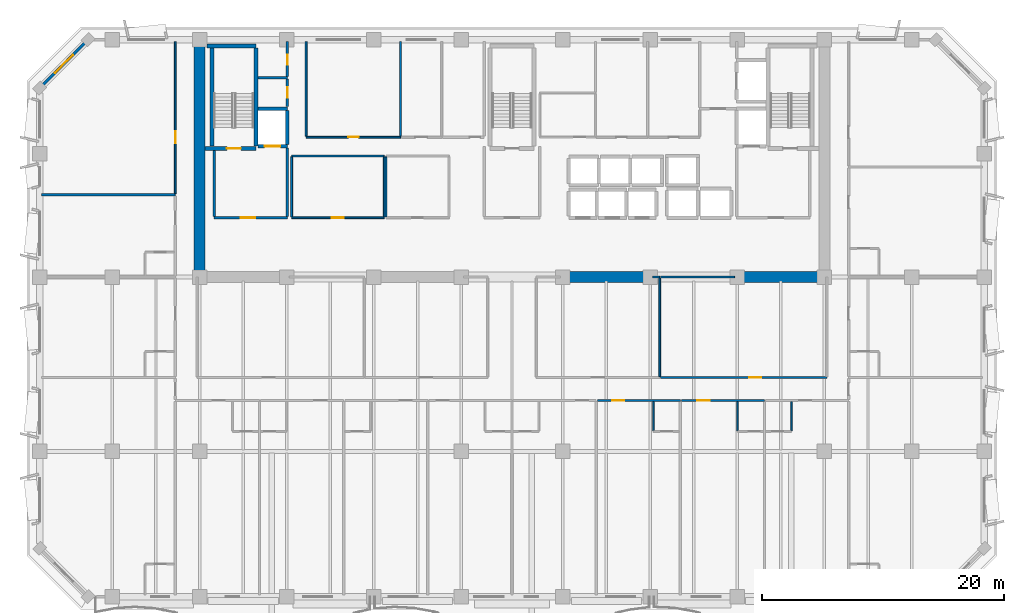
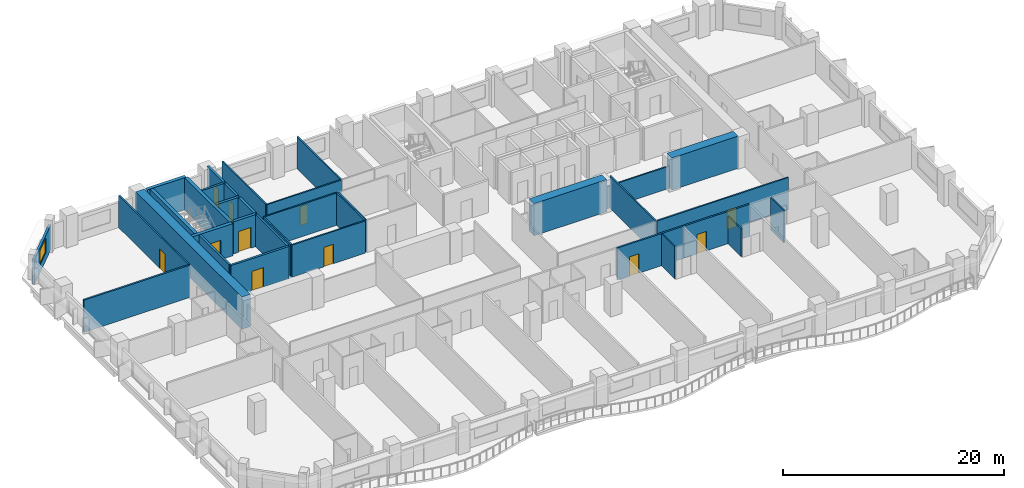
# One storey, part 6 of 14: 36 walls, 11 doors, 1 window, 12 openings.
"""IFC4 building model written with IfcOpenShell, lengths in metres."""

from ifc_helpers import new_model, si_unit, direction, frame, frame_2d, origin, place, context, subcontext, project, spatial, rectangle, extrude, material, layer, layer_set, type_object, element, fill, save


model = new_model("IFC4")

# Units and contexts
model_context = context("Model", 3, precision=1e-05, world=origin(), true_north=direction((0.0, 1.0)))
body_context = subcontext(model_context, "Body", "Model", "MODEL_VIEW")
ifc_project = project(units=[si_unit("LENGTHUNIT", "METRE"), si_unit("AREAUNIT", "SQUARE_METRE"), si_unit("VOLUMEUNIT", "CUBIC_METRE"), si_unit("PLANEANGLEUNIT", "RADIAN"), si_unit("MASSUNIT", "GRAM", prefix="KILO")], contexts=[model_context])

# Site, building, storey
site_placement = place(None, origin())
site = spatial("IfcSite", under=ifc_project, at=site_placement, CompositionType="ELEMENT")
building_placement = place(site_placement, origin())
building = spatial("IfcBuilding", under=site, at=building_placement, Name="Kaelvorn Grand Hotel", CompositionType="ELEMENT")
storey_placement = place(building_placement, frame((0.0, 0.0, 161.949951171875)))
storey = spatial("IfcBuildingStorey", under=building, at=storey_placement, Name="L39", CompositionType="ELEMENT", Elevation=161.949951171875)

# Walls
ifc_material_1 = material(Name="Concrete C60/75", Category="concrete")
ifc_layer_1 = layer(ifc_material_1, 0.89990234375)
ifc_layer_set_1 = layer_set([ifc_layer_1], Name="Concrete C60/75")
wall_type_1 = type_object("IfcWallType", Name="WL-CORE-900-C60", PredefinedType="SHEAR", material=ifc_layer_set_1)
wall_1_placement = place(storey_placement, frame((16.199951171875, 29.39990234375, 0.0), z_axis=(0.0, 0.0, 1.0), x_axis=(0.0, 1.0, 0.0)))
element("IfcWall", 1, at=wall_1_placement, inside=storey, type_object=wall_type_1, Name="L39 Rear-Core West Shear Wall", PredefinedType="SHEAR", context=body_context, shape_type="SweptSolid", body=[
    extrude(rectangle(XDim=19.2001953125, YDim=0.89990234375, at=frame_2d((9.60009765625, 0.0))), origin(), (0.0, 0.0, 1.0), 3.56005859375),
])
wall_2_placement = place(storey_placement, frame((46.0, 29.39990234375, 0.0), z_axis=(0.0, 0.0, 1.0), x_axis=(1.0, 0.0, 0.0)))
element("IfcWall", 2, at=wall_2_placement, inside=storey, type_object=wall_type_1, Name="L39 Rear-Core Coupled Shear Pier S3", PredefinedType="SHEAR", context=body_context, shape_type="SweptSolid", body=[
    extrude(rectangle(XDim=7.60009765625, YDim=0.89990234375, at=frame_2d((3.800048828125, 0.0))), origin(), (0.0, 0.0, 1.0), 3.56005859375),
])
wall_3_placement = place(storey_placement, frame((60.39990234375, 29.39990234375, 0.0), z_axis=(0.0, 0.0, 1.0), x_axis=(1.0, 0.0, 0.0)))
element("IfcWall", 3, at=wall_3_placement, inside=storey, type_object=wall_type_1, Name="L39 Rear-Core Coupled Shear Pier S4", PredefinedType="SHEAR", context=body_context, shape_type="SweptSolid", body=[
    extrude(rectangle(XDim=6.945068359375, YDim=0.89990234375, at=frame_2d((3.47265625, 0.0))), origin(), (0.0, 0.0, 1.0), 3.56005859375),
])

# Wall, opening, window
ifc_material_2 = material(Name="Concrete C40/50", Category="concrete")
ifc_layer_2 = layer(ifc_material_2, 0.239990234375)
ifc_layer_set_2 = layer_set([ifc_layer_2], Name="Concrete C40/50")
wall_type_2 = type_object("IfcWallType", Name="WL-EXT-240-C40", PredefinedType="SOLIDWALL", material=ifc_layer_set_2)
wall_4_placement = place(storey_placement, frame((7.0, 49.0, 0.0), z_axis=(0.0, 0.0, 1.0), x_axis=(-0.707106781187, -0.707106781187, 0.0)))
wall_4 = element("IfcWall", 4, at=wall_4_placement, inside=storey, type_object=wall_type_2, Name="L39 Exterior Architectural Concrete Wall 06", PredefinedType="SOLIDWALL", context=body_context, shape_type="SweptSolid", body=[
    extrude(rectangle(XDim=5.65673828125, YDim=0.239990234375, at=frame_2d((2.828369140625, 0.0))), origin(), (0.0, 0.0, 1.0), 2.760009765625),
])
opening_1_placement = place(wall_4_placement, frame((1.7783203125, 0.0, 0.85009765625)))
opening_1 = element("IfcOpeningElement", 5, at=opening_1_placement, cuts=wall_4, Name="Opening W7", PredefinedType="OPENING", context=body_context, shape_type="SweptSolid", body=[
    extrude(rectangle(XDim=2.10009765625, YDim=1.60009765625, at=frame_2d((1.050048828125, 0.800048828125))), frame((0.0, 0.1298828125, 0.0), z_axis=(0.0, -1.0, 0.0), x_axis=(1.0, 0.0, 0.0)), (0.0, 0.0, 1.0), 0.260009765625),
])
ifc_material_3 = material(Name="Laminated Low-E Glass", Category="glass")
window_type = type_object("IfcWindowType", Name="WIN-CHM-2100x1600", PartitioningType="SINGLE_PANEL", PredefinedType="WINDOW", material=ifc_material_3)
window_placement = place(opening_1_placement, origin())
window = element("IfcWindow", 6, at=window_placement, inside=storey, type_object=window_type, Name="L39 Chamfered 45-Degree Corner Window NW", OverallHeight=1.60009765625, OverallWidth=2.10009765625, PartitioningType="SINGLE_PANEL", PredefinedType="WINDOW", context=body_context, shape_type="SweptSolid", body=[
    extrude(rectangle(XDim=2.10009765625, YDim=1.60009765625, at=frame_2d((1.050048828125, 0.800048828125))), frame((0.0, 0.030029296875, 0.0), z_axis=(0.0, -1.0, 0.0), x_axis=(1.0, 0.0, 0.0)), (0.0, 0.0, 1.0), 0.06005859375),
])
fill(opening_1, window)

# Walls
ifc_material_4 = material(Name="Moisture-Resistant Tile & Stud Board")
ifc_layer_3 = layer(ifc_material_4, 0.125)
ifc_layer_set_3 = layer_set([ifc_layer_3], Name="Moisture-Resistant Tile & Stud Board")
wall_type_3 = type_object("IfcWallType", Name="WL-PART-125-WET", PredefinedType="PARTITIONING", material=ifc_layer_set_3)
wall_5_placement = place(storey_placement, frame((53.679931640625, 16.717529296875, 0.0), z_axis=(0.0, 0.0, 1.0), x_axis=(0.0, 1.0, 0.0)))
element("IfcWall", 7, at=wall_5_placement, inside=storey, type_object=wall_type_3, Name="L39 En-suite Bathroom L39-06 W Partition", PredefinedType="PARTITIONING", context=body_context, shape_type="SweptSolid", body=[
    extrude(rectangle(XDim=2.387451171875, YDim=0.125, at=frame_2d((1.19384765625, 0.0))), origin(), (0.0, 0.0, 1.0), 3.56005859375),
])
wall_6_placement = place(storey_placement, frame((60.6298828125, 16.717529296875, 0.0), z_axis=(0.0, 0.0, 1.0), x_axis=(0.0, 1.0, 0.0)))
element("IfcWall", 8, at=wall_6_placement, inside=storey, type_object=wall_type_3, Name="L39 En-suite Bathroom L39-07 W Partition", PredefinedType="PARTITIONING", context=body_context, shape_type="SweptSolid", body=[
    extrude(rectangle(XDim=2.387451171875, YDim=0.125, at=frame_2d((1.19384765625, 0.0))), origin(), (0.0, 0.0, 1.0), 3.06005859375),
])
wall_7_placement = place(storey_placement, frame((65.070068359375, 16.717529296875, 0.0), z_axis=(0.0, 0.0, 1.0), x_axis=(0.0, 1.0, 0.0)))
element("IfcWall", 9, at=wall_7_placement, inside=storey, type_object=wall_type_3, Name="L39 En-suite Bathroom L39-08 E Partition", PredefinedType="PARTITIONING", context=body_context, shape_type="SweptSolid", body=[
    extrude(rectangle(XDim=2.387451171875, YDim=0.125, at=frame_2d((1.19384765625, 0.0))), origin(), (0.0, 0.0, 1.0), 3.56005859375),
])
ifc_material_5 = material(Name="Acoustic Gypsum & Stud Partition")
ifc_layer_4 = layer(ifc_material_5, 0.14990234375)
ifc_layer_set_4 = layer_set([ifc_layer_4], Name="Acoustic Gypsum & Stud Partition")
wall_type_4 = type_object("IfcWallType", Name="WL-PART-150-EI60", PredefinedType="PARTITIONING", material=ifc_layer_set_4)
wall_8_placement = place(storey_placement, frame((31.60009765625, 34.3798828125, 0.0), z_axis=(0.0, 0.0, 1.0), x_axis=(0.0, 1.0, 0.0)))
element("IfcWall", 10, at=wall_8_placement, inside=storey, type_object=wall_type_4, Name="L39 Core Telecoms & BMS Server Room W Partition", PredefinedType="PARTITIONING", context=body_context, shape_type="SweptSolid", body=[
    extrude(rectangle(XDim=4.940185546875, YDim=0.14990234375, at=frame_2d((2.47021484375, 0.0))), origin(), (0.0, 0.0, 1.0), 3.56005859375),
])

# Wall, opening, door
wall_9_placement = place(storey_placement, frame((23.800048828125, 34.300048828125, 0.0), z_axis=(0.0, 0.0, 1.0), x_axis=(1.0, 0.0, 0.0)))
wall_9 = element("IfcWall", 11, at=wall_9_placement, inside=storey, type_object=wall_type_4, Name="L39 Executive Club Sitting Lounge S Partition", PredefinedType="PARTITIONING", context=body_context, shape_type="SweptSolid", body=[
    extrude(rectangle(XDim=7.64990234375, YDim=0.14990234375, at=frame_2d((3.824951171875, 0.0))), origin(), (0.0, 0.0, 1.0), 3.56005859375),
])
opening_2_placement = place(wall_9_placement, frame((3.300048828125, 0.0, 0.0)))
opening_2 = element("IfcOpeningElement", 12, at=opening_2_placement, cuts=wall_9, Name="Opening DI3", PredefinedType="OPENING", context=body_context, shape_type="SweptSolid", body=[
    extrude(rectangle(XDim=1.0, YDim=2.14990234375, at=frame_2d((0.5, 1.074951171875))), frame((0.0, 0.0849609375, 0.0), z_axis=(0.0, -1.0, 0.0), x_axis=(1.0, 0.0, 0.0)), (0.0, 0.0, 1.0), 0.169921875),
])
ifc_material_6 = material(Name="Timber Veneer Fire Leaf", Category="wood")
door_type_1 = type_object("IfcDoorType", Name="DR-INT-GUEST-1000x2150", OperationType="NOTDEFINED", PredefinedType="DOOR", material=ifc_material_6)
door_1_placement = place(opening_2_placement, origin())
door_1 = element("IfcDoor", 13, at=door_1_placement, inside=storey, type_object=door_type_1, Name="L39 Executive Club Sitting Lounge Door", OperationType="SINGLE_SWING_RIGHT", OverallHeight=2.14990234375, OverallWidth=1.0, PredefinedType="DOOR", context=body_context, shape_type="SweptSolid", body=[
    extrude(rectangle(XDim=1.0, YDim=2.14990234375, at=frame_2d((0.5, 1.074951171875))), frame((0.0, 0.02490234375, 0.0), z_axis=(0.0, -1.0, 0.0), x_axis=(1.0, 0.0, 0.0)), (0.0, 0.0, 1.0), 0.050048828125),
])
fill(opening_2, door_1)

# Walls
wall_10_placement = place(storey_placement, frame((23.800048828125, 39.39990234375, 0.0), z_axis=(0.0, 0.0, 1.0), x_axis=(1.0, 0.0, 0.0)))
element("IfcWall", 14, at=wall_10_placement, inside=storey, type_object=wall_type_4, Name="L39 Executive Club Sitting Lounge N Partition", PredefinedType="PARTITIONING", context=body_context, shape_type="SweptSolid", body=[
    extrude(rectangle(XDim=7.64990234375, YDim=0.14990234375, at=frame_2d((3.824951171875, 0.0))), origin(), (0.0, 0.0, 1.0), 3.56005859375),
])
for number, where, z_axis, x_axis, name in (
    (15, (23.800048828125, 34.3798828125, 0.0), (0.0, 0.0, 1.0), (0.0, 1.0, 0.0), "L39 Executive Club Sitting Lounge W Partition"),
    (16, (31.449951171875, 34.3798828125, 0.0), (0.0, 0.0, 1.0), (0.0, 1.0, 0.0), "L39 Executive Club Sitting Lounge E Partition"),
):
    element("IfcWall", number, at=place(storey_placement, frame(where, z_axis=z_axis, x_axis=x_axis)), inside=storey, type_object=wall_type_4, Name=name, PredefinedType="PARTITIONING", context=body_context, shape_type="SweptSolid", body=[
        extrude(rectangle(XDim=4.940185546875, YDim=0.14990234375, at=frame_2d((2.47021484375, 0.0))), origin(), (0.0, 0.0, 1.0), 3.56005859375),
    ])

# Wall, opening, door
wall_11_placement = place(storey_placement, frame((25.0, 40.949951171875, 0.0), z_axis=(0.0, 0.0, 1.0), x_axis=(1.0, 0.0, 0.0)))
wall_11 = element("IfcWall", 17, at=wall_11_placement, inside=storey, type_object=wall_type_4, Name="L39 Housekeeping & Linen Room S Partition", PredefinedType="PARTITIONING", context=body_context, shape_type="SweptSolid", body=[
    extrude(rectangle(XDim=7.800048828125, YDim=0.14990234375, at=frame_2d((3.89990234375, 0.0))), origin(), (0.0, 0.0, 1.0), 3.56005859375),
])
opening_3_placement = place(wall_11_placement, frame((3.47509765625, 0.0, 0.0)))
opening_3 = element("IfcOpeningElement", 18, at=opening_3_placement, cuts=wall_11, Name="Opening DI7", PredefinedType="OPENING", context=body_context, shape_type="SweptSolid", body=[
    extrude(rectangle(XDim=0.85009765625, YDim=2.10009765625, at=frame_2d((0.425048828125, 1.050048828125))), frame((0.0, 0.0849609375, 0.0), z_axis=(0.0, -1.0, 0.0), x_axis=(1.0, 0.0, 0.0)), (0.0, 0.0, 1.0), 0.169921875),
])
ifc_material_7 = material(Name="Powder-Coated Steel Leaf", Category="steel")
door_type_2 = type_object("IfcDoorType", Name="DR-INT-RISER-850x2100", OperationType="NOTDEFINED", PredefinedType="DOOR", material=ifc_material_7)
door_2_placement = place(opening_3_placement, origin())
door_2 = element("IfcDoor", 19, at=door_2_placement, inside=storey, type_object=door_type_2, Name="L39 Housekeeping & Linen Room Door", OperationType="SINGLE_SWING_LEFT", OverallHeight=2.10009765625, OverallWidth=0.85009765625, PredefinedType="DOOR", context=body_context, shape_type="SweptSolid", body=[
    extrude(rectangle(XDim=0.85009765625, YDim=2.10009765625, at=frame_2d((0.425048828125, 1.050048828125))), frame((0.0, 0.02490234375, 0.0), z_axis=(0.0, -1.0, 0.0), x_axis=(1.0, 0.0, 0.0)), (0.0, 0.0, 1.0), 0.050048828125),
])
fill(opening_3, door_2)

# Walls
for number, where, z_axis, x_axis, name in (
    (20, (25.0, 41.030029296875, 0.0), (0.0, 0.0, 1.0), (0.0, 1.0, 0.0), "L39 Housekeeping & Linen Room W Partition"),
    (21, (32.800048828125, 41.030029296875, 0.0), (0.0, 0.0, 1.0), (0.0, 1.0, 0.0), "L39 Housekeeping & Linen Room E Partition"),
):
    element("IfcWall", number, at=place(storey_placement, frame(where, z_axis=z_axis, x_axis=x_axis)), inside=storey, type_object=wall_type_4, Name=name, PredefinedType="PARTITIONING", context=body_context, shape_type="SweptSolid", body=[
        extrude(rectangle(XDim=7.820068359375, YDim=0.14990234375, at=frame_2d((3.91015625, 0.0))), origin(), (0.0, 0.0, 1.0), 3.56005859375),
    ])
wall_12_placement = place(storey_placement, frame((53.610107421875, 29.39990234375, 0.0), z_axis=(0.0, 0.0, 1.0), x_axis=(1.0, 0.0, 0.0)))
element("IfcWall", 22, at=wall_12_placement, inside=storey, type_object=wall_type_4, Name="L39 Diplomatic Living Room N Partition (2)", PredefinedType="PARTITIONING", context=body_context, shape_type="SweptSolid", body=[
    extrude(rectangle(XDim=0.58984375, YDim=0.14990234375, at=frame_2d((0.294921875, 0.0))), origin(), (0.0, 0.0, 1.0), 2.4599609375),
])
wall_13_placement = place(storey_placement, frame((54.199951171875, 21.179931640625, 0.0), z_axis=(0.0, 0.0, 1.0), x_axis=(0.0, 1.0, 0.0)))
element("IfcWall", 23, at=wall_13_placement, inside=storey, type_object=wall_type_4, Name="L39 Diplomatic Living Room E Partition", PredefinedType="PARTITIONING", context=body_context, shape_type="SweptSolid", body=[
    extrude(rectangle(XDim=8.14013671875, YDim=0.14990234375, at=frame_2d((4.070068359375, 0.0))), origin(), (0.0, 0.0, 1.0), 3.56005859375),
])

# Wall, opening, door
wall_14_placement = place(storey_placement, frame((54.280029296875, 21.10009765625, 0.0), z_axis=(0.0, 0.0, 1.0), x_axis=(1.0, 0.0, 0.0)))
wall_14 = element("IfcWall", 24, at=wall_14_placement, inside=storey, type_object=wall_type_4, Name="L39 Executive Meeting Room S Partition", PredefinedType="PARTITIONING", context=body_context, shape_type="SweptSolid", body=[
    extrude(rectangle(XDim=13.719970703125, YDim=0.14990234375, at=frame_2d((6.85986328125, 0.0))), origin(), (0.0, 0.0, 1.0), 3.56005859375),
])
opening_4_placement = place(wall_14_placement, frame((7.320068359375, 0.0, 0.0)))
opening_4 = element("IfcOpeningElement", 25, at=opening_4_placement, cuts=wall_14, Name="Opening DI3", PredefinedType="OPENING", context=body_context, shape_type="SweptSolid", body=[
    extrude(rectangle(XDim=1.0, YDim=2.14990234375, at=frame_2d((0.5, 1.074951171875))), frame((0.0, 0.0849609375, 0.0), z_axis=(0.0, -1.0, 0.0), x_axis=(1.0, 0.0, 0.0)), (0.0, 0.0, 1.0), 0.169921875),
])
door_3_placement = place(opening_4_placement, origin())
door_3 = element("IfcDoor", 26, at=door_3_placement, inside=storey, type_object=door_type_1, Name="L39 Executive Meeting Room Door", OperationType="SINGLE_SWING_RIGHT", OverallHeight=2.14990234375, OverallWidth=1.0, PredefinedType="DOOR", context=body_context, shape_type="SweptSolid", body=[
    extrude(rectangle(XDim=1.0, YDim=2.14990234375, at=frame_2d((0.5, 1.074951171875))), frame((0.0, 0.02490234375, 0.0), z_axis=(0.0, -1.0, 0.0), x_axis=(1.0, 0.0, 0.0)), (0.0, 0.0, 1.0), 0.050048828125),
])
fill(opening_4, door_3)

# Wall
wall_15_placement = place(storey_placement, frame((54.280029296875, 29.39990234375, 0.0), z_axis=(0.0, 0.0, 1.0), x_axis=(1.0, 0.0, 0.0)))
element("IfcWall", 27, at=wall_15_placement, inside=storey, type_object=wall_type_4, Name="L39 Executive Meeting Room N Partition", PredefinedType="PARTITIONING", context=body_context, shape_type="SweptSolid", body=[
    extrude(rectangle(XDim=6.10986328125, YDim=0.14990234375, at=frame_2d((3.054931640625, 0.0))), origin(), (0.0, 0.0, 1.0), 2.4599609375),
])

# Wall, opening, door
wall_16_placement = place(storey_placement, frame((14.199951171875, 36.294921875, 0.0), z_axis=(0.0, 0.0, 1.0), x_axis=(0.0, 1.0, 0.0)))
wall_16 = element("IfcWall", 28, at=wall_16_placement, inside=storey, type_object=wall_type_4, Name="L39 North-West Executive Meeting Room E Partition", PredefinedType="PARTITIONING", context=body_context, shape_type="SweptSolid", body=[
    extrude(rectangle(XDim=12.55517578125, YDim=0.14990234375, at=frame_2d((6.277587890625, 0.0))), origin(), (0.0, 0.0, 1.0), 3.56005859375),
])
opening_5_placement = place(wall_16_placement, frame((4.155029296875, 0.0, 0.0)))
opening_5 = element("IfcOpeningElement", 29, at=opening_5_placement, cuts=wall_16, Name="Opening DI3", PredefinedType="OPENING", context=body_context, shape_type="SweptSolid", body=[
    extrude(rectangle(XDim=1.0, YDim=2.14990234375, at=frame_2d((0.5, 1.074951171875))), frame((0.0, 0.0849609375, 0.0), z_axis=(0.0, -1.0, 0.0), x_axis=(1.0, 0.0, 0.0)), (0.0, 0.0, 1.0), 0.169921875),
])
door_4_placement = place(opening_5_placement, origin())
door_4 = element("IfcDoor", 30, at=door_4_placement, inside=storey, type_object=door_type_1, Name="L39 North-West Executive Meeting Room Door", OperationType="SINGLE_SWING_LEFT", OverallHeight=2.14990234375, OverallWidth=1.0, PredefinedType="DOOR", context=body_context, shape_type="SweptSolid", body=[
    extrude(rectangle(XDim=1.0, YDim=2.14990234375, at=frame_2d((0.5, 1.074951171875))), frame((0.0, 0.02490234375, 0.0), z_axis=(0.0, -1.0, 0.0), x_axis=(1.0, 0.0, 0.0)), (0.0, 0.0, 1.0), 0.050048828125),
])
fill(opening_5, door_4)

ifc_layer_5 = layer(ifc_material_5, 0.179931640625)
ifc_layer_set_5 = layer_set([ifc_layer_5], Name="Acoustic Gypsum & Stud Partition")
wall_type_5 = type_object("IfcWallType", Name="WL-PART-180-EI60", PredefinedType="PARTITIONING", material=ifc_layer_set_5)
wall_17_placement = place(storey_placement, frame((49.044921875, 19.199951171875, 0.0), z_axis=(0.0, 0.0, 1.0), x_axis=(1.0, 0.0, 0.0)))
wall_17 = element("IfcWall", 31, at=wall_17_placement, inside=storey, type_object=wall_type_5, Name="L39 Mid-Rise Signature Suite L39-06 N Partition", PredefinedType="PARTITIONING", context=body_context, shape_type="SweptSolid", body=[
    extrude(rectangle(XDim=6.85498046875, YDim=0.179931640625, at=frame_2d((3.427490234375, 0.0))), origin(), (0.0, 0.0, 1.0), 3.56005859375),
])
opening_6_placement = place(wall_17_placement, frame((1.239990234375, 0.0, 0.0)))
opening_6 = element("IfcOpeningElement", 32, at=opening_6_placement, cuts=wall_17, Name="Opening DI3", PredefinedType="OPENING", context=body_context, shape_type="SweptSolid", body=[
    extrude(rectangle(XDim=1.0, YDim=2.14990234375, at=frame_2d((0.5, 1.074951171875))), frame((0.0, 0.10009765625, 0.0), z_axis=(0.0, -1.0, 0.0), x_axis=(1.0, 0.0, 0.0)), (0.0, 0.0, 1.0), 0.199951171875),
])
door_5_placement = place(opening_6_placement, origin())
door_5 = element("IfcDoor", 33, at=door_5_placement, inside=storey, type_object=door_type_1, Name="L39 Mid-Rise Signature Suite L39-06 Door", OperationType="SINGLE_SWING_LEFT", OverallHeight=2.14990234375, OverallWidth=1.0, PredefinedType="DOOR", context=body_context, shape_type="SweptSolid", body=[
    extrude(rectangle(XDim=1.0, YDim=2.14990234375, at=frame_2d((0.5, 1.074951171875))), frame((0.0, 0.02490234375, 0.0), z_axis=(0.0, -1.0, 0.0), x_axis=(1.0, 0.0, 0.0)), (0.0, 0.0, 1.0), 0.050048828125),
])
fill(opening_6, door_5)

wall_18_placement = place(storey_placement, frame((55.9951171875, 19.199951171875, 0.0), z_axis=(0.0, 0.0, 1.0), x_axis=(1.0, 0.0, 0.0)))
wall_18 = element("IfcWall", 34, at=wall_18_placement, inside=storey, type_object=wall_type_5, Name="L39 Mid-Rise Signature Suite L39-07 N Partition", PredefinedType="PARTITIONING", context=body_context, shape_type="SweptSolid", body=[
    extrude(rectangle(XDim=6.85498046875, YDim=0.179931640625, at=frame_2d((3.427490234375, 0.0))), origin(), (0.0, 0.0, 1.0), 3.56005859375),
])
opening_7_placement = place(wall_18_placement, frame((1.320068359375, 0.0, 0.0)))
opening_7 = element("IfcOpeningElement", 35, at=opening_7_placement, cuts=wall_18, Name="Opening DI3", PredefinedType="OPENING", context=body_context, shape_type="SweptSolid", body=[
    extrude(rectangle(XDim=1.0, YDim=2.14990234375, at=frame_2d((0.5, 1.074951171875))), frame((0.0, 0.10009765625, 0.0), z_axis=(0.0, -1.0, 0.0), x_axis=(1.0, 0.0, 0.0)), (0.0, 0.0, 1.0), 0.199951171875),
])
door_6_placement = place(opening_7_placement, origin())
door_6 = element("IfcDoor", 36, at=door_6_placement, inside=storey, type_object=door_type_1, Name="L39 Mid-Rise Signature Suite L39-07 Door", OperationType="SINGLE_SWING_LEFT", OverallHeight=2.14990234375, OverallWidth=1.0, PredefinedType="DOOR", context=body_context, shape_type="SweptSolid", body=[
    extrude(rectangle(XDim=1.0, YDim=2.14990234375, at=frame_2d((0.5, 1.074951171875))), frame((0.0, 0.02490234375, 0.0), z_axis=(0.0, -1.0, 0.0), x_axis=(1.0, 0.0, 0.0)), (0.0, 0.0, 1.0), 0.050048828125),
])
fill(opening_7, door_6)

# Wall
wall_19_placement = place(storey_placement, frame((3.14990234375, 36.199951171875, 0.0), z_axis=(0.0, 0.0, 1.0), x_axis=(1.0, 0.0, 0.0)))
element("IfcWall", 37, at=wall_19_placement, inside=storey, type_object=wall_type_5, Name="L39 North-West Wing Suite L39-13 N Partition", PredefinedType="PARTITIONING", context=body_context, shape_type="SweptSolid", body=[
    extrude(rectangle(XDim=11.050048828125, YDim=0.179931640625, at=frame_2d((5.52490234375, 0.0))), origin(), (0.0, 0.0, 1.0), 3.56005859375),
])

# Wall, opening, door
ifc_layer_6 = layer(ifc_material_2, 0.219970703125)
ifc_layer_set_6 = layer_set([ifc_layer_6], Name="Concrete C40/50")
wall_type_6 = type_object("IfcWallType", Name="WL-PART-220-EI120", PredefinedType="PARTITIONING", material=ifc_layer_set_6)
wall_20_placement = place(storey_placement, frame((17.39990234375, 34.300048828125, 0.0), z_axis=(0.0, 0.0, 1.0), x_axis=(1.0, 0.0, 0.0)))
wall_20 = element("IfcWall", 38, at=wall_20_placement, inside=storey, type_object=wall_type_6, Name="L39 Firefighting Lift Lobby 1 S Partition", PredefinedType="PARTITIONING", context=body_context, shape_type="SweptSolid", body=[
    extrude(rectangle(XDim=6.050048828125, YDim=0.219970703125, at=frame_2d((3.02490234375, 0.0))), origin(), (0.0, 0.0, 1.0), 3.56005859375),
])
opening_8_placement = place(wall_20_placement, frame((2.199951171875, 0.0, 0.0)))
opening_8 = element("IfcOpeningElement", 39, at=opening_8_placement, cuts=wall_20, Name="Opening DI2", PredefinedType="OPENING", context=body_context, shape_type="SweptSolid", body=[
    extrude(rectangle(XDim=1.199951171875, YDim=2.14990234375, at=frame_2d((0.60009765625, 1.074951171875))), frame((0.0, 0.1201171875, 0.0), z_axis=(0.0, -1.0, 0.0), x_axis=(1.0, 0.0, 0.0)), (0.0, 0.0, 1.0), 0.239990234375),
])
door_type_3 = type_object("IfcDoorType", Name="DR-INT-FFLOB-1200x2150", OperationType="NOTDEFINED", PredefinedType="DOOR", material=ifc_material_6)
door_7_placement = place(opening_8_placement, origin())
door_7 = element("IfcDoor", 40, at=door_7_placement, inside=storey, type_object=door_type_3, Name="L39 Firefighting Lift Lobby 1 Door", OperationType="SINGLE_SWING_LEFT", OverallHeight=2.14990234375, OverallWidth=1.199951171875, PredefinedType="DOOR", context=body_context, shape_type="SweptSolid", body=[
    extrude(rectangle(XDim=1.199951171875, YDim=2.14990234375, at=frame_2d((0.60009765625, 1.074951171875))), frame((0.0, 0.02490234375, 0.0), z_axis=(0.0, -1.0, 0.0), x_axis=(1.0, 0.0, 0.0)), (0.0, 0.0, 1.0), 0.050048828125),
])
fill(opening_8, door_7)

# Walls
wall_21_placement = place(storey_placement, frame((17.39990234375, 34.4150390625, 0.0), z_axis=(0.0, 0.0, 1.0), x_axis=(0.0, 1.0, 0.0)))
element("IfcWall", 41, at=wall_21_placement, inside=storey, type_object=wall_type_6, Name="L39 Firefighting Lift Lobby 1 W Partition", PredefinedType="PARTITIONING", context=body_context, shape_type="SweptSolid", body=[
    extrude(rectangle(XDim=5.429931640625, YDim=0.219970703125, at=frame_2d((2.71484375, 0.0))), origin(), (0.0, 0.0, 1.0), 3.56005859375),
])
wall_22_placement = place(storey_placement, frame((23.449951171875, 34.4150390625, 0.0), z_axis=(0.0, 0.0, 1.0), x_axis=(0.0, 1.0, 0.0)))
element("IfcWall", 42, at=wall_22_placement, inside=storey, type_object=wall_type_6, Name="L39 Firefighting Lift Lobby 1 E Partition", PredefinedType="PARTITIONING", context=body_context, shape_type="SweptSolid", body=[
    extrude(rectangle(XDim=5.639892578125, YDim=0.219970703125, at=frame_2d((2.81982421875, 0.0))), origin(), (0.0, 0.0, 1.0), 3.56005859375),
])
wall_23_placement = place(storey_placement, frame((21.034912109375, 45.85009765625, 0.0), z_axis=(0.0, 0.0, 1.0), x_axis=(1.0, 0.0, 0.0)))
element("IfcWall", 43, at=wall_23_placement, inside=storey, type_object=wall_type_6, Name="L39 Wet Fire & Plumbing Riser Shaft N Partition", PredefinedType="PARTITIONING", context=body_context, shape_type="SweptSolid", body=[
    extrude(rectangle(XDim=2.4150390625, YDim=0.219970703125, at=frame_2d((1.20751953125, 0.0))), origin(), (0.0, 0.0, 1.0), 3.56005859375),
])

# Wall, opening, door
wall_24_placement = place(storey_placement, frame((23.449951171875, 43.5, 0.0), z_axis=(0.0, 0.0, 1.0), x_axis=(0.0, 1.0, 0.0)))
wall_24 = element("IfcWall", 44, at=wall_24_placement, inside=storey, type_object=wall_type_6, Name="L39 Wet Fire & Plumbing Riser Shaft E Partition", PredefinedType="PARTITIONING", context=body_context, shape_type="SweptSolid", body=[
    extrude(rectangle(XDim=2.235107421875, YDim=0.219970703125, at=frame_2d((1.11767578125, 0.0))), origin(), (0.0, 0.0, 1.0), 3.56005859375),
])
opening_9_placement = place(wall_24_placement, frame((0.72509765625, 0.0, 0.0)))
opening_9 = element("IfcOpeningElement", 45, at=opening_9_placement, cuts=wall_24, Name="Opening DI7", PredefinedType="OPENING", context=body_context, shape_type="SweptSolid", body=[
    extrude(rectangle(XDim=0.85009765625, YDim=2.10009765625, at=frame_2d((0.425048828125, 1.050048828125))), frame((0.0, 0.1201171875, 0.0), z_axis=(0.0, -1.0, 0.0), x_axis=(1.0, 0.0, 0.0)), (0.0, 0.0, 1.0), 0.239990234375),
])
door_8_placement = place(opening_9_placement, origin())
door_8 = element("IfcDoor", 46, at=door_8_placement, inside=storey, type_object=door_type_2, Name="L39 Wet Fire & Plumbing Riser Shaft Door", OperationType="SINGLE_SWING_LEFT", OverallHeight=2.10009765625, OverallWidth=0.85009765625, PredefinedType="DOOR", context=body_context, shape_type="SweptSolid", body=[
    extrude(rectangle(XDim=0.85009765625, YDim=2.10009765625, at=frame_2d((0.425048828125, 1.050048828125))), frame((0.0, 0.02490234375, 0.0), z_axis=(0.0, -1.0, 0.0), x_axis=(1.0, 0.0, 0.0)), (0.0, 0.0, 1.0), 0.050048828125),
])
fill(opening_9, door_8)

wall_25_placement = place(storey_placement, frame((23.449951171875, 45.965087890625, 0.0), z_axis=(0.0, 0.0, 1.0), x_axis=(0.0, 1.0, 0.0)))
wall_25 = element("IfcWall", 47, at=wall_25_placement, inside=storey, type_object=wall_type_6, Name="L39 HV Electrical & Smoke Riser E Partition", PredefinedType="PARTITIONING", context=body_context, shape_type="SweptSolid", body=[
    extrude(rectangle(XDim=2.885009765625, YDim=0.219970703125, at=frame_2d((1.4423828125, 0.0))), origin(), (0.0, 0.0, 1.0), 3.56005859375),
])
opening_10_placement = place(wall_25_placement, frame((0.9599609375, 0.0, 0.0)))
opening_10 = element("IfcOpeningElement", 48, at=opening_10_placement, cuts=wall_25, Name="Opening DI7", PredefinedType="OPENING", context=body_context, shape_type="SweptSolid", body=[
    extrude(rectangle(XDim=0.85009765625, YDim=2.10009765625, at=frame_2d((0.425048828125, 1.050048828125))), frame((0.0, 0.1201171875, 0.0), z_axis=(0.0, -1.0, 0.0), x_axis=(1.0, 0.0, 0.0)), (0.0, 0.0, 1.0), 0.239990234375),
])
door_9_placement = place(opening_10_placement, origin())
door_9 = element("IfcDoor", 49, at=door_9_placement, inside=storey, type_object=door_type_2, Name="L39 HV Electrical & Smoke Riser Door", OperationType="SINGLE_SWING_RIGHT", OverallHeight=2.10009765625, OverallWidth=0.85009765625, PredefinedType="DOOR", context=body_context, shape_type="SweptSolid", body=[
    extrude(rectangle(XDim=0.85009765625, YDim=2.10009765625, at=frame_2d((0.425048828125, 1.050048828125))), frame((0.0, 0.02490234375, 0.0), z_axis=(0.0, -1.0, 0.0), x_axis=(1.0, 0.0, 0.0)), (0.0, 0.0, 1.0), 0.050048828125),
])
fill(opening_10, door_9)

ifc_material_8 = material(Name="Concrete C50/60", Category="concrete")
ifc_layer_7 = layer(ifc_material_8, 0.280029296875)
ifc_layer_set_7 = layer_set([ifc_layer_7], Name="Concrete C50/60")
wall_type_7 = type_object("IfcWallType", Name="WL-SHAFT-280-C50", PredefinedType="SHEAR", material=ifc_layer_set_7)
wall_26_placement = place(storey_placement, frame((21.034912109375, 40.199951171875, 0.0), z_axis=(0.0, 0.0, 1.0), x_axis=(1.0, 0.0, 0.0)))
wall_26 = element("IfcWall", 50, at=wall_26_placement, inside=storey, type_object=wall_type_7, Name="L39 Lift FFL1 Shaft South Wall", PredefinedType="SHEAR", context=body_context, shape_type="SweptSolid", body=[
    extrude(rectangle(XDim=2.4150390625, YDim=0.280029296875, at=frame_2d((1.20751953125, 0.0))), origin(), (0.0, 0.0, 1.0), 3.56005859375),
])
opening_11_placement = place(wall_26_placement, frame((0.5400390625, 0.0, 0.0)))
opening_11 = element("IfcOpeningElement", 51, at=opening_11_placement, cuts=wall_26, Name="Opening LD-FFL1", PredefinedType="OPENING", context=body_context, shape_type="SweptSolid", body=[
    extrude(rectangle(XDim=1.300048828125, YDim=2.300048828125, at=frame_2d((0.64990234375, 1.14990234375))), frame((0.0, 0.14990234375, 0.0), z_axis=(0.0, -1.0, 0.0), x_axis=(1.0, 0.0, 0.0)), (0.0, 0.0, 1.0), 0.300048828125),
])
ifc_material_9 = material(Name="Stainless Steel", Category="steel")
door_type_4 = type_object("IfcDoorType", Name="DR-LIFT-SERV-1300x2300", OperationType="DOUBLE_DOOR_SLIDING", PredefinedType="DOOR", material=ifc_material_9)
door_10_placement = place(opening_11_placement, origin())
door_10 = element("IfcDoor", 52, at=door_10_placement, inside=storey, type_object=door_type_4, Name="L39 Lift FFL1 Sliding Landing Door LD-FFL1", OperationType="DOUBLE_DOOR_SLIDING", OverallHeight=2.300048828125, OverallWidth=1.300048828125, PredefinedType="DOOR", context=body_context, shape_type="SweptSolid", body=[
    extrude(rectangle(XDim=1.300048828125, YDim=2.300048828125, at=frame_2d((0.64990234375, 1.14990234375))), frame((0.0, 0.02490234375, 0.0), z_axis=(0.0, -1.0, 0.0), x_axis=(1.0, 0.0, 0.0)), (0.0, 0.0, 1.0), 0.050048828125),
])
fill(opening_11, door_10)

# Walls
wall_27_placement = place(storey_placement, frame((21.034912109375, 43.300048828125, 0.0), z_axis=(0.0, 0.0, 1.0), x_axis=(1.0, 0.0, 0.0)))
element("IfcWall", 53, at=wall_27_placement, inside=storey, type_object=wall_type_7, Name="L39 Lift FFL1 Shaft North Wall", PredefinedType="SHEAR", context=body_context, shape_type="SweptSolid", body=[
    extrude(rectangle(XDim=2.4150390625, YDim=0.280029296875, at=frame_2d((1.20751953125, 0.0))), origin(), (0.0, 0.0, 1.0), 3.56005859375),
])
wall_28_placement = place(storey_placement, frame((23.449951171875, 40.344970703125, 0.0), z_axis=(0.0, 0.0, 1.0), x_axis=(0.0, 1.0, 0.0)))
element("IfcWall", 54, at=wall_28_placement, inside=storey, type_object=wall_type_7, Name="L39 Lift FFL1 Shaft East Wall", PredefinedType="SHEAR", context=body_context, shape_type="SweptSolid", body=[
    extrude(rectangle(XDim=2.81005859375, YDim=0.280029296875, at=frame_2d((1.405029296875, 0.0))), origin(), (0.0, 0.0, 1.0), 3.56005859375),
])

# Wall, opening, door
ifc_layer_8 = layer(ifc_material_1, 0.35009765625)
ifc_layer_set_8 = layer_set([ifc_layer_8], Name="Concrete C60/75")
wall_type_8 = type_object("IfcWallType", Name="WL-SHAFT-350-C60", PredefinedType="SHEAR", material=ifc_layer_set_8)
wall_29_placement = place(storey_placement, frame((16.655029296875, 40.02490234375, 0.0), z_axis=(0.0, 0.0, 1.0), x_axis=(1.0, 0.0, 0.0)))
wall_29 = element("IfcWall", 55, at=wall_29_placement, inside=storey, type_object=wall_type_8, Name="L39 ST1 Stair Shaft South Wall", PredefinedType="SHEAR", context=body_context, shape_type="SweptSolid", body=[
    extrude(rectangle(XDim=4.199951171875, YDim=0.35009765625, at=frame_2d((2.10009765625, 0.0))), origin(), (0.0, 0.0, 1.0), 3.56005859375),
])
opening_12_placement = place(wall_29_placement, frame((1.81005859375, 0.0, 0.0)))
opening_12 = element("IfcOpeningElement", 56, at=opening_12_placement, cuts=wall_29, Name="Opening DI1", PredefinedType="OPENING", context=body_context, shape_type="SweptSolid", body=[
    extrude(rectangle(XDim=1.14990234375, YDim=2.14990234375, at=frame_2d((0.574951171875, 1.074951171875))), frame((0.0, 0.18505859375, 0.0), z_axis=(0.0, -1.0, 0.0), x_axis=(1.0, 0.0, 0.0)), (0.0, 0.0, 1.0), 0.3701171875),
])
door_type_5 = type_object("IfcDoorType", Name="DR-INT-STAIR-1150x2150", OperationType="NOTDEFINED", PredefinedType="DOOR", material=ifc_material_6)
door_11_placement = place(opening_12_placement, origin())
door_11 = element("IfcDoor", 57, at=door_11_placement, inside=storey, type_object=door_type_5, Name="L39 ST1 Exit Stair Fire Door", OperationType="SINGLE_SWING_RIGHT", OverallHeight=2.14990234375, OverallWidth=1.14990234375, PredefinedType="DOOR", context=body_context, shape_type="SweptSolid", body=[
    extrude(rectangle(XDim=1.14990234375, YDim=2.14990234375, at=frame_2d((0.574951171875, 1.074951171875))), frame((0.0, 0.02490234375, 0.0), z_axis=(0.0, -1.0, 0.0), x_axis=(1.0, 0.0, 0.0)), (0.0, 0.0, 1.0), 0.050048828125),
])
fill(opening_12, door_11)

# Walls
wall_30_placement = place(storey_placement, frame((16.804931640625, 48.47509765625, 0.0), z_axis=(0.0, 0.0, 1.0), x_axis=(1.0, 0.0, 0.0)))
element("IfcWall", 58, at=wall_30_placement, inside=storey, type_object=wall_type_8, Name="L39 ST1 Stair Shaft North Wall", PredefinedType="SHEAR", context=body_context, shape_type="SweptSolid", body=[
    extrude(rectangle(XDim=4.050048828125, YDim=0.35009765625, at=frame_2d((2.02490234375, 0.0))), origin(), (0.0, 0.0, 1.0), 3.56005859375),
])
for number, where, z_axis, x_axis, name in (
    (59, (17.22509765625, 40.205078125, 0.0), (0.0, 0.0, 1.0), (0.0, 1.0, 0.0), "L39 ST1 Stair Shaft West Wall"),
    (60, (20.85498046875, 40.205078125, 0.0), (0.0, 0.0, 1.0), (0.0, 1.0, 0.0), "L39 ST1 Stair Shaft East Wall"),
):
    element("IfcWall", number, at=place(storey_placement, frame(where, z_axis=z_axis, x_axis=x_axis)), inside=storey, type_object=wall_type_8, Name=name, PredefinedType="SHEAR", context=body_context, shape_type="SweptSolid", body=[
        extrude(rectangle(XDim=8.08984375, YDim=0.35009765625, at=frame_2d((4.044921875, 0.0))), origin(), (0.0, 0.0, 1.0), 3.56005859375),
    ])

save(model, "model.ifc")
